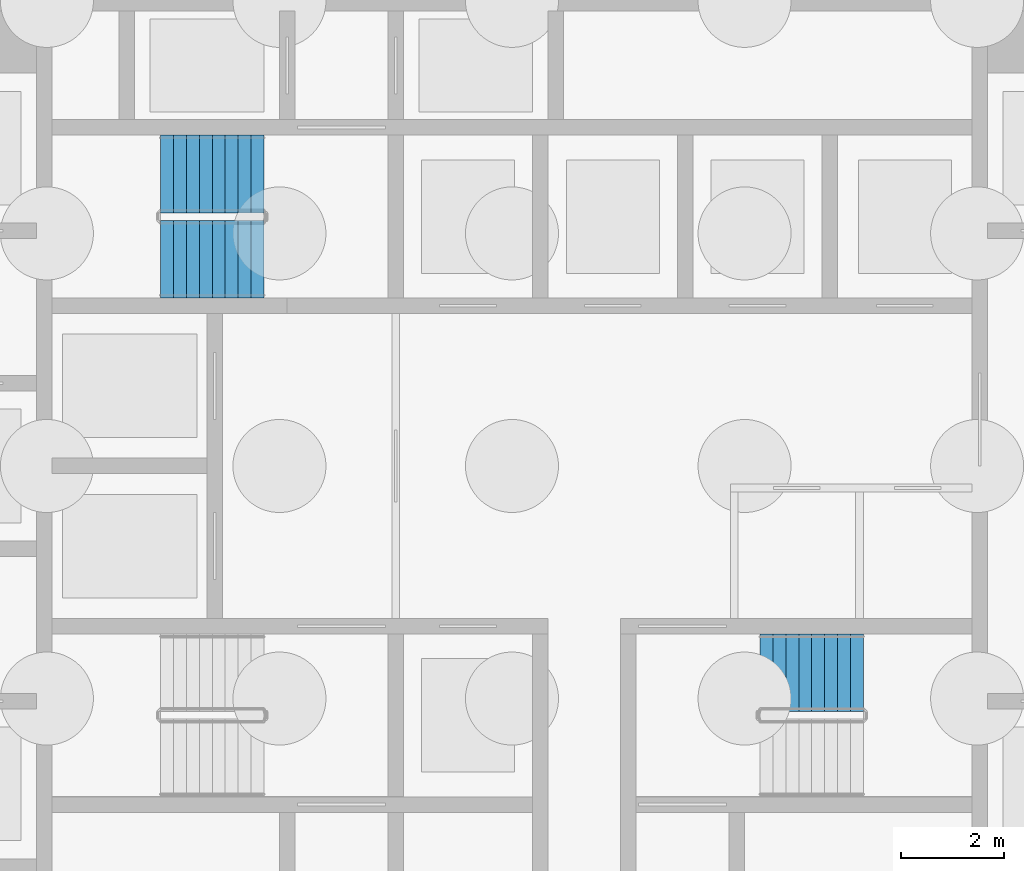
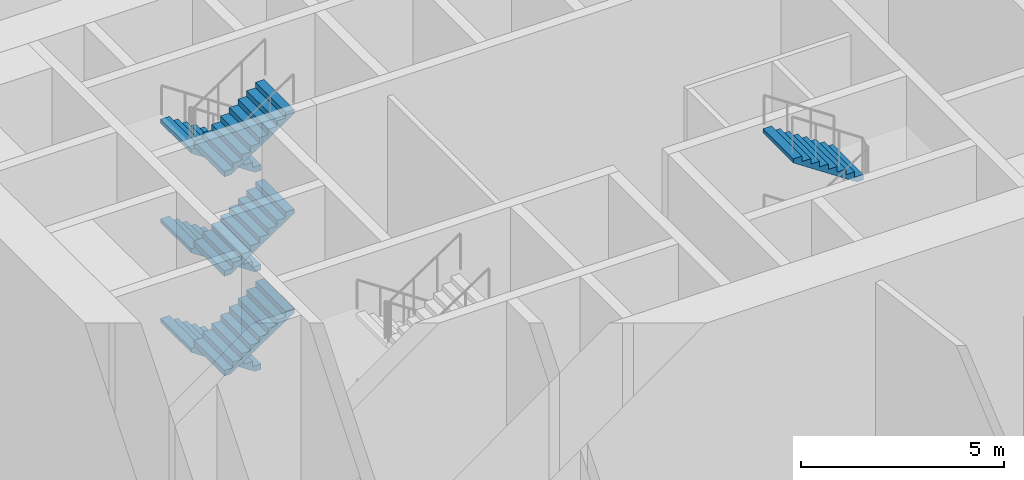
# One storey, part 17 of 20: 7 stair flights, 2 elements without a shape of their own.
"""IFC4 building model written with IfcOpenShell, lengths in metres."""

from ifc_helpers import new_model, si_unit, direction, frame, origin, place, context, subcontext, project, spatial, polyline, outline, extrude, material, type_object, element, aggregate, save


model = new_model("IFC4")

# Units and contexts
model_context = context("Model", 3, precision=1e-05, world=origin(), true_north=direction((0.0, 1.0)))
body_context = subcontext(model_context, "Body", "Model", "MODEL_VIEW")
ifc_project = project(units=[si_unit("LENGTHUNIT", "METRE"), si_unit("AREAUNIT", "SQUARE_METRE"), si_unit("VOLUMEUNIT", "CUBIC_METRE"), si_unit("PLANEANGLEUNIT", "RADIAN"), si_unit("MASSUNIT", "GRAM", prefix="KILO")], contexts=[model_context])

# Site, building, storey
site_placement = place(None, origin())
site = spatial("IfcSite", under=ifc_project, at=site_placement, CompositionType="ELEMENT")
building_placement = place(site_placement, origin())
building = spatial("IfcBuilding", under=site, at=building_placement, Name="Tracery Tower", CompositionType="ELEMENT")
storey_placement = place(building_placement, origin())
storey = spatial("IfcBuildingStorey", under=building, at=storey_placement, Name="L00", CompositionType="ELEMENT", Elevation=0.0)

# Stair, stair flights
ifc_material_1 = material(Name="Concrete C32/40", Category="concrete")
stair_type = type_object("IfcStairType", Name="Core stair 54 risers", PredefinedType="HALF_TURN_STAIR", material=ifc_material_1)
stair_1_placement = place(storey_placement, origin())
stair_1 = element("IfcStair", 1, at=stair_1_placement, inside=storey, type_object=stair_type, Name="L00 stair ST3", PredefinedType="HALF_TURN_STAIR")
ifc_material_2 = material(Name="Concrete C32/40", Category="concrete")
stair_flight_type = type_object("IfcStairFlightType", Name="Core stair flight 9 risers", PredefinedType="STRAIGHT", material=ifc_material_2)
stair_flight_1_placement = place(storey_placement, frame((-4.800048828125, 5.64990234375, 0.0), z_axis=(0.0, 0.0, 1.0), x_axis=(-1.0, 0.0, 0.0)))
stair_flight_1 = element("IfcStairFlight", 2, at=stair_flight_1_placement, type_object=stair_flight_type, Name="ST3 flight 1", NumberOfRisers=9, NumberOfTreads=8, PredefinedType="STRAIGHT", RiserHeight=0.166666667, TreadLength=0.25, context=body_context, shape_type="SweptSolid", body=[
    extrude(outline(polyline([(0.0, 0.0), (0.0, 0.002685546875), (0.0, 0.00537109375), (0.0, 0.00830078125), (0.0, 0.010986328125), (0.0, 0.013671875), (0.0, 0.016357421875), (0.0, 0.01904296875), (0.0, 0.02197265625), (0.0, 0.024658203125), (0.0, 0.02734375), (0.0, 0.030029296875), (0.0, 0.03271484375), (0.0, 0.035400390625), (0.0, 0.038330078125), (0.0, 0.041015625), (0.0, 0.043701171875), (0.0, 0.04638671875), (0.0, 0.049072265625), (0.0, 0.052001953125), (0.0, 0.0546875), (0.0, 0.057373046875), (0.0, 0.06005859375), (0.0, 0.062744140625), (0.0, 0.065673828125), (0.0, 0.068359375), (0.0, 0.071044921875), (0.0, 0.07373046875), (0.0, 0.076416015625), (0.0, 0.079345703125), (0.0, 0.08203125), (0.0, 0.084716796875), (0.0, 0.08740234375), (0.0, 0.090087890625), (0.0, 0.093017578125), (0.0, 0.095703125), (0.0, 0.098388671875), (0.0, 0.10107421875), (0.0, 0.103759765625), (0.0, 0.1064453125), (0.0, 0.109375), (0.0, 0.112060546875), (0.0, 0.11474609375), (0.0, 0.117431640625), (0.0, 0.1201171875), (0.0, 0.123046875), (0.0, 0.125732421875), (0.0, 0.12841796875), (0.0, 0.131103515625), (0.0, 0.1337890625), (0.0, 0.13671875), (0.0, 0.139404296875), (0.0, 0.14208984375), (0.0, 0.144775390625), (0.0, 0.1474609375), (0.0, 0.150390625), (0.0, 0.153076171875), (0.0, 0.15576171875), (0.0, 0.158447265625), (0.0, 0.1611328125), (0.0, 0.163818359375), (0.0, 0.166748046875), (0.25, 0.166748046875), (0.25, 0.333251953125), (0.5, 0.333251953125), (0.5, 0.5), (0.75, 0.5), (0.75, 0.666748046875), (1.0, 0.666748046875), (1.0, 0.833251953125), (1.25, 0.833251953125), (1.25, 1.0), (1.5, 1.0), (1.5, 1.166748046875), (1.75, 1.166748046875), (1.75, 1.333251953125), (2.0, 1.333251953125), (2.0, 1.331298828125), (2.0, 1.329345703125), (2.0, 1.327392578125), (2.0, 1.325439453125), (2.0, 1.323486328125), (2.0, 1.321533203125), (2.0, 1.319580078125), (2.0, 1.317626953125), (2.0, 1.315673828125), (2.0, 1.313720703125), (2.0, 1.3115234375), (2.0, 1.3095703125), (2.0, 1.3076171875), (2.0, 1.3056640625), (2.0, 1.3037109375), (2.0, 1.3017578125), (2.0, 1.2998046875), (2.0, 1.2978515625), (2.0, 1.2958984375), (2.0, 1.2939453125), (2.0, 1.2919921875), (2.0, 1.2900390625), (2.0, 1.2880859375), (2.0, 1.285888671875), (2.0, 1.283935546875), (2.0, 1.281982421875), (2.0, 1.280029296875), (2.0, 1.278076171875), (2.0, 1.276123046875), (2.0, 1.274169921875), (2.0, 1.272216796875), (2.0, 1.270263671875), (2.0, 1.268310546875), (2.0, 1.266357421875), (2.0, 1.264404296875), (2.0, 1.262451171875), (2.0, 1.26025390625), (2.0, 1.25830078125), (2.0, 1.25634765625), (2.0, 1.25439453125), (2.0, 1.25244140625), (2.0, 1.25048828125), (2.0, 1.24853515625), (2.0, 1.24658203125), (2.0, 1.24462890625), (2.0, 1.24267578125), (2.0, 1.24072265625), (2.0, 1.23876953125), (2.0, 1.23681640625), (2.0, 1.234619140625), (2.0, 1.232666015625), (2.0, 1.230712890625), (2.0, 1.228759765625), (2.0, 1.226806640625), (2.0, 1.224853515625), (2.0, 1.222900390625), (2.0, 1.220947265625), (2.0, 1.218994140625), (2.0, 1.217041015625), (2.0, 1.215087890625), (2.0, 1.213134765625), (0.180419921875, 0.0), (0.0, 0.0)])), frame((0.0, 0.75, 0.0), z_axis=(0.0, -1.0, 0.0), x_axis=(1.0, 0.0, 0.0)), (0.0, 0.0, 1.0), 1.5),
])
stair_flight_2_placement = place(storey_placement, frame((-6.800048828125, 4.0, 1.5), z_axis=(0.0, 0.0, 1.0), x_axis=(1.0, 0.0, 0.0)))
stair_flight_2 = element("IfcStairFlight", 3, at=stair_flight_2_placement, type_object=stair_flight_type, Name="ST3 flight 2", NumberOfRisers=9, NumberOfTreads=8, PredefinedType="STRAIGHT", RiserHeight=0.166666667, TreadLength=0.25, context=body_context, shape_type="SweptSolid", body=[
    extrude(outline(polyline([(0.0, 0.0), (0.0, 0.002685546875), (0.0, 0.00537109375), (0.0, 0.00830078125), (0.0, 0.010986328125), (0.0, 0.013671875), (0.0, 0.016357421875), (0.0, 0.01904296875), (0.0, 0.02197265625), (0.0, 0.024658203125), (0.0, 0.02734375), (0.0, 0.030029296875), (0.0, 0.03271484375), (0.0, 0.035400390625), (0.0, 0.038330078125), (0.0, 0.041015625), (0.0, 0.043701171875), (0.0, 0.04638671875), (0.0, 0.049072265625), (0.0, 0.052001953125), (0.0, 0.0546875), (0.0, 0.057373046875), (0.0, 0.06005859375), (0.0, 0.062744140625), (0.0, 0.065673828125), (0.0, 0.068359375), (0.0, 0.071044921875), (0.0, 0.07373046875), (0.0, 0.076416015625), (0.0, 0.079345703125), (0.0, 0.08203125), (0.0, 0.084716796875), (0.0, 0.08740234375), (0.0, 0.090087890625), (0.0, 0.093017578125), (0.0, 0.095703125), (0.0, 0.098388671875), (0.0, 0.10107421875), (0.0, 0.103759765625), (0.0, 0.1064453125), (0.0, 0.109375), (0.0, 0.112060546875), (0.0, 0.11474609375), (0.0, 0.117431640625), (0.0, 0.1201171875), (0.0, 0.123046875), (0.0, 0.125732421875), (0.0, 0.12841796875), (0.0, 0.131103515625), (0.0, 0.1337890625), (0.0, 0.13671875), (0.0, 0.139404296875), (0.0, 0.14208984375), (0.0, 0.144775390625), (0.0, 0.1474609375), (0.0, 0.150390625), (0.0, 0.153076171875), (0.0, 0.15576171875), (0.0, 0.158447265625), (0.0, 0.1611328125), (0.0, 0.163818359375), (0.0, 0.166748046875), (0.25, 0.166748046875), (0.25, 0.333251953125), (0.5, 0.333251953125), (0.5, 0.5), (0.75, 0.5), (0.75, 0.666748046875), (1.0, 0.666748046875), (1.0, 0.833251953125), (1.25, 0.833251953125), (1.25, 1.0), (1.5, 1.0), (1.5, 1.166748046875), (1.75, 1.166748046875), (1.75, 1.333251953125), (2.0, 1.333251953125), (2.0, 1.331298828125), (2.0, 1.329345703125), (2.0, 1.327392578125), (2.0, 1.325439453125), (2.0, 1.323486328125), (2.0, 1.321533203125), (2.0, 1.319580078125), (2.0, 1.317626953125), (2.0, 1.315673828125), (2.0, 1.313720703125), (2.0, 1.3115234375), (2.0, 1.3095703125), (2.0, 1.3076171875), (2.0, 1.3056640625), (2.0, 1.3037109375), (2.0, 1.3017578125), (2.0, 1.2998046875), (2.0, 1.2978515625), (2.0, 1.2958984375), (2.0, 1.2939453125), (2.0, 1.2919921875), (2.0, 1.2900390625), (2.0, 1.2880859375), (2.0, 1.285888671875), (2.0, 1.283935546875), (2.0, 1.281982421875), (2.0, 1.280029296875), (2.0, 1.278076171875), (2.0, 1.276123046875), (2.0, 1.274169921875), (2.0, 1.272216796875), (2.0, 1.270263671875), (2.0, 1.268310546875), (2.0, 1.266357421875), (2.0, 1.264404296875), (2.0, 1.262451171875), (2.0, 1.26025390625), (2.0, 1.25830078125), (2.0, 1.25634765625), (2.0, 1.25439453125), (2.0, 1.25244140625), (2.0, 1.25048828125), (2.0, 1.24853515625), (2.0, 1.24658203125), (2.0, 1.24462890625), (2.0, 1.24267578125), (2.0, 1.24072265625), (2.0, 1.23876953125), (2.0, 1.23681640625), (2.0, 1.234619140625), (2.0, 1.232666015625), (2.0, 1.230712890625), (2.0, 1.228759765625), (2.0, 1.226806640625), (2.0, 1.224853515625), (2.0, 1.222900390625), (2.0, 1.220947265625), (2.0, 1.218994140625), (2.0, 1.217041015625), (2.0, 1.215087890625), (2.0, 1.213134765625), (0.180419921875, 0.0), (0.0, 0.0)])), frame((0.0, 0.75, 0.0), z_axis=(0.0, -1.0, 0.0), x_axis=(1.0, 0.0, 0.0)), (0.0, 0.0, 1.0), 1.5),
])
stair_flight_3_placement = place(storey_placement, frame((-4.800048828125, 5.64990234375, 3.0), z_axis=(0.0, 0.0, 1.0), x_axis=(-1.0, 0.0, 0.0)))
stair_flight_3 = element("IfcStairFlight", 4, at=stair_flight_3_placement, type_object=stair_flight_type, Name="ST3 flight 3", NumberOfRisers=9, NumberOfTreads=8, PredefinedType="STRAIGHT", RiserHeight=0.166666667, TreadLength=0.25, context=body_context, shape_type="SweptSolid", body=[
    extrude(outline(polyline([(0.0, 0.0), (0.0, 0.002685546875), (0.0, 0.00537109375), (0.0, 0.00830078125), (0.0, 0.010986328125), (0.0, 0.013671875), (0.0, 0.016357421875), (0.0, 0.01904296875), (0.0, 0.02197265625), (0.0, 0.024658203125), (0.0, 0.02734375), (0.0, 0.030029296875), (0.0, 0.03271484375), (0.0, 0.035400390625), (0.0, 0.038330078125), (0.0, 0.041015625), (0.0, 0.043701171875), (0.0, 0.04638671875), (0.0, 0.049072265625), (0.0, 0.052001953125), (0.0, 0.0546875), (0.0, 0.057373046875), (0.0, 0.06005859375), (0.0, 0.062744140625), (0.0, 0.065673828125), (0.0, 0.068359375), (0.0, 0.071044921875), (0.0, 0.07373046875), (0.0, 0.076416015625), (0.0, 0.079345703125), (0.0, 0.08203125), (0.0, 0.084716796875), (0.0, 0.08740234375), (0.0, 0.090087890625), (0.0, 0.093017578125), (0.0, 0.095703125), (0.0, 0.098388671875), (0.0, 0.10107421875), (0.0, 0.103759765625), (0.0, 0.1064453125), (0.0, 0.109375), (0.0, 0.112060546875), (0.0, 0.11474609375), (0.0, 0.117431640625), (0.0, 0.1201171875), (0.0, 0.123046875), (0.0, 0.125732421875), (0.0, 0.12841796875), (0.0, 0.131103515625), (0.0, 0.1337890625), (0.0, 0.13671875), (0.0, 0.139404296875), (0.0, 0.14208984375), (0.0, 0.144775390625), (0.0, 0.1474609375), (0.0, 0.150390625), (0.0, 0.153076171875), (0.0, 0.15576171875), (0.0, 0.158447265625), (0.0, 0.1611328125), (0.0, 0.163818359375), (0.0, 0.166748046875), (0.25, 0.166748046875), (0.25, 0.333251953125), (0.5, 0.333251953125), (0.5, 0.5), (0.75, 0.5), (0.75, 0.666748046875), (1.0, 0.666748046875), (1.0, 0.833251953125), (1.25, 0.833251953125), (1.25, 1.0), (1.5, 1.0), (1.5, 1.166748046875), (1.75, 1.166748046875), (1.75, 1.333251953125), (2.0, 1.333251953125), (2.0, 1.331298828125), (2.0, 1.329345703125), (2.0, 1.327392578125), (2.0, 1.325439453125), (2.0, 1.323486328125), (2.0, 1.321533203125), (2.0, 1.319580078125), (2.0, 1.317626953125), (2.0, 1.315673828125), (2.0, 1.313720703125), (2.0, 1.3115234375), (2.0, 1.3095703125), (2.0, 1.3076171875), (2.0, 1.3056640625), (2.0, 1.3037109375), (2.0, 1.3017578125), (2.0, 1.2998046875), (2.0, 1.2978515625), (2.0, 1.2958984375), (2.0, 1.2939453125), (2.0, 1.2919921875), (2.0, 1.2900390625), (2.0, 1.2880859375), (2.0, 1.285888671875), (2.0, 1.283935546875), (2.0, 1.281982421875), (2.0, 1.280029296875), (2.0, 1.278076171875), (2.0, 1.276123046875), (2.0, 1.274169921875), (2.0, 1.272216796875), (2.0, 1.270263671875), (2.0, 1.268310546875), (2.0, 1.266357421875), (2.0, 1.264404296875), (2.0, 1.262451171875), (2.0, 1.26025390625), (2.0, 1.25830078125), (2.0, 1.25634765625), (2.0, 1.25439453125), (2.0, 1.25244140625), (2.0, 1.25048828125), (2.0, 1.24853515625), (2.0, 1.24658203125), (2.0, 1.24462890625), (2.0, 1.24267578125), (2.0, 1.24072265625), (2.0, 1.23876953125), (2.0, 1.23681640625), (2.0, 1.234619140625), (2.0, 1.232666015625), (2.0, 1.230712890625), (2.0, 1.228759765625), (2.0, 1.226806640625), (2.0, 1.224853515625), (2.0, 1.222900390625), (2.0, 1.220947265625), (2.0, 1.218994140625), (2.0, 1.217041015625), (2.0, 1.215087890625), (2.0, 1.213134765625), (0.180419921875, 0.0), (0.0, 0.0)])), frame((0.0, 0.75, 0.0), z_axis=(0.0, -1.0, 0.0), x_axis=(1.0, 0.0, 0.0)), (0.0, 0.0, 1.0), 1.5),
])
stair_flight_4_placement = place(storey_placement, frame((-6.800048828125, 4.0, 4.5), z_axis=(0.0, 0.0, 1.0), x_axis=(1.0, 0.0, 0.0)))
stair_flight_4 = element("IfcStairFlight", 5, at=stair_flight_4_placement, type_object=stair_flight_type, Name="ST3 flight 4", NumberOfRisers=9, NumberOfTreads=8, PredefinedType="STRAIGHT", RiserHeight=0.166666667, TreadLength=0.25, context=body_context, shape_type="SweptSolid", body=[
    extrude(outline(polyline([(0.0, 0.0), (0.0, 0.002685546875), (0.0, 0.00537109375), (0.0, 0.00830078125), (0.0, 0.010986328125), (0.0, 0.013671875), (0.0, 0.016357421875), (0.0, 0.01904296875), (0.0, 0.02197265625), (0.0, 0.024658203125), (0.0, 0.02734375), (0.0, 0.030029296875), (0.0, 0.03271484375), (0.0, 0.035400390625), (0.0, 0.038330078125), (0.0, 0.041015625), (0.0, 0.043701171875), (0.0, 0.04638671875), (0.0, 0.049072265625), (0.0, 0.052001953125), (0.0, 0.0546875), (0.0, 0.057373046875), (0.0, 0.06005859375), (0.0, 0.062744140625), (0.0, 0.065673828125), (0.0, 0.068359375), (0.0, 0.071044921875), (0.0, 0.07373046875), (0.0, 0.076416015625), (0.0, 0.079345703125), (0.0, 0.08203125), (0.0, 0.084716796875), (0.0, 0.08740234375), (0.0, 0.090087890625), (0.0, 0.093017578125), (0.0, 0.095703125), (0.0, 0.098388671875), (0.0, 0.10107421875), (0.0, 0.103759765625), (0.0, 0.1064453125), (0.0, 0.109375), (0.0, 0.112060546875), (0.0, 0.11474609375), (0.0, 0.117431640625), (0.0, 0.1201171875), (0.0, 0.123046875), (0.0, 0.125732421875), (0.0, 0.12841796875), (0.0, 0.131103515625), (0.0, 0.1337890625), (0.0, 0.13671875), (0.0, 0.139404296875), (0.0, 0.14208984375), (0.0, 0.144775390625), (0.0, 0.1474609375), (0.0, 0.150390625), (0.0, 0.153076171875), (0.0, 0.15576171875), (0.0, 0.158447265625), (0.0, 0.1611328125), (0.0, 0.163818359375), (0.0, 0.166748046875), (0.25, 0.166748046875), (0.25, 0.333251953125), (0.5, 0.333251953125), (0.5, 0.5), (0.75, 0.5), (0.75, 0.666748046875), (1.0, 0.666748046875), (1.0, 0.833251953125), (1.25, 0.833251953125), (1.25, 1.0), (1.5, 1.0), (1.5, 1.166748046875), (1.75, 1.166748046875), (1.75, 1.333251953125), (2.0, 1.333251953125), (2.0, 1.331298828125), (2.0, 1.329345703125), (2.0, 1.327392578125), (2.0, 1.325439453125), (2.0, 1.323486328125), (2.0, 1.321533203125), (2.0, 1.319580078125), (2.0, 1.317626953125), (2.0, 1.315673828125), (2.0, 1.313720703125), (2.0, 1.3115234375), (2.0, 1.3095703125), (2.0, 1.3076171875), (2.0, 1.3056640625), (2.0, 1.3037109375), (2.0, 1.3017578125), (2.0, 1.2998046875), (2.0, 1.2978515625), (2.0, 1.2958984375), (2.0, 1.2939453125), (2.0, 1.2919921875), (2.0, 1.2900390625), (2.0, 1.2880859375), (2.0, 1.285888671875), (2.0, 1.283935546875), (2.0, 1.281982421875), (2.0, 1.280029296875), (2.0, 1.278076171875), (2.0, 1.276123046875), (2.0, 1.274169921875), (2.0, 1.272216796875), (2.0, 1.270263671875), (2.0, 1.268310546875), (2.0, 1.266357421875), (2.0, 1.264404296875), (2.0, 1.262451171875), (2.0, 1.26025390625), (2.0, 1.25830078125), (2.0, 1.25634765625), (2.0, 1.25439453125), (2.0, 1.25244140625), (2.0, 1.25048828125), (2.0, 1.24853515625), (2.0, 1.24658203125), (2.0, 1.24462890625), (2.0, 1.24267578125), (2.0, 1.24072265625), (2.0, 1.23876953125), (2.0, 1.23681640625), (2.0, 1.234619140625), (2.0, 1.232666015625), (2.0, 1.230712890625), (2.0, 1.228759765625), (2.0, 1.226806640625), (2.0, 1.224853515625), (2.0, 1.222900390625), (2.0, 1.220947265625), (2.0, 1.218994140625), (2.0, 1.217041015625), (2.0, 1.215087890625), (2.0, 1.213134765625), (0.180419921875, 0.0), (0.0, 0.0)])), frame((0.0, 0.75, 0.0), z_axis=(0.0, -1.0, 0.0), x_axis=(1.0, 0.0, 0.0)), (0.0, 0.0, 1.0), 1.5),
])
stair_flight_5_placement = place(storey_placement, frame((-4.800048828125, 5.64990234375, 6.0), z_axis=(0.0, 0.0, 1.0), x_axis=(-1.0, 0.0, 0.0)))
stair_flight_5 = element("IfcStairFlight", 6, at=stair_flight_5_placement, type_object=stair_flight_type, Name="ST3 flight 5", NumberOfRisers=9, NumberOfTreads=8, PredefinedType="STRAIGHT", RiserHeight=0.166666667, TreadLength=0.25, context=body_context, shape_type="SweptSolid", body=[
    extrude(outline(polyline([(0.0, 0.0), (0.0, 0.002685546875), (0.0, 0.00537109375), (0.0, 0.00830078125), (0.0, 0.010986328125), (0.0, 0.013671875), (0.0, 0.016357421875), (0.0, 0.01904296875), (0.0, 0.02197265625), (0.0, 0.024658203125), (0.0, 0.02734375), (0.0, 0.030029296875), (0.0, 0.03271484375), (0.0, 0.035400390625), (0.0, 0.038330078125), (0.0, 0.041015625), (0.0, 0.043701171875), (0.0, 0.04638671875), (0.0, 0.049072265625), (0.0, 0.052001953125), (0.0, 0.0546875), (0.0, 0.057373046875), (0.0, 0.06005859375), (0.0, 0.062744140625), (0.0, 0.065673828125), (0.0, 0.068359375), (0.0, 0.071044921875), (0.0, 0.07373046875), (0.0, 0.076416015625), (0.0, 0.079345703125), (0.0, 0.08203125), (0.0, 0.084716796875), (0.0, 0.08740234375), (0.0, 0.090087890625), (0.0, 0.093017578125), (0.0, 0.095703125), (0.0, 0.098388671875), (0.0, 0.10107421875), (0.0, 0.103759765625), (0.0, 0.1064453125), (0.0, 0.109375), (0.0, 0.112060546875), (0.0, 0.11474609375), (0.0, 0.117431640625), (0.0, 0.1201171875), (0.0, 0.123046875), (0.0, 0.125732421875), (0.0, 0.12841796875), (0.0, 0.131103515625), (0.0, 0.1337890625), (0.0, 0.13671875), (0.0, 0.139404296875), (0.0, 0.14208984375), (0.0, 0.144775390625), (0.0, 0.1474609375), (0.0, 0.150390625), (0.0, 0.153076171875), (0.0, 0.15576171875), (0.0, 0.158447265625), (0.0, 0.1611328125), (0.0, 0.163818359375), (0.0, 0.166748046875), (0.25, 0.166748046875), (0.25, 0.333251953125), (0.5, 0.333251953125), (0.5, 0.5), (0.75, 0.5), (0.75, 0.666748046875), (1.0, 0.666748046875), (1.0, 0.833251953125), (1.25, 0.833251953125), (1.25, 1.0), (1.5, 1.0), (1.5, 1.166748046875), (1.75, 1.166748046875), (1.75, 1.333251953125), (2.0, 1.333251953125), (2.0, 1.331298828125), (2.0, 1.329345703125), (2.0, 1.327392578125), (2.0, 1.325439453125), (2.0, 1.323486328125), (2.0, 1.321533203125), (2.0, 1.319580078125), (2.0, 1.317626953125), (2.0, 1.315673828125), (2.0, 1.313720703125), (2.0, 1.3115234375), (2.0, 1.3095703125), (2.0, 1.3076171875), (2.0, 1.3056640625), (2.0, 1.3037109375), (2.0, 1.3017578125), (2.0, 1.2998046875), (2.0, 1.2978515625), (2.0, 1.2958984375), (2.0, 1.2939453125), (2.0, 1.2919921875), (2.0, 1.2900390625), (2.0, 1.2880859375), (2.0, 1.285888671875), (2.0, 1.283935546875), (2.0, 1.281982421875), (2.0, 1.280029296875), (2.0, 1.278076171875), (2.0, 1.276123046875), (2.0, 1.274169921875), (2.0, 1.272216796875), (2.0, 1.270263671875), (2.0, 1.268310546875), (2.0, 1.266357421875), (2.0, 1.264404296875), (2.0, 1.262451171875), (2.0, 1.26025390625), (2.0, 1.25830078125), (2.0, 1.25634765625), (2.0, 1.25439453125), (2.0, 1.25244140625), (2.0, 1.25048828125), (2.0, 1.24853515625), (2.0, 1.24658203125), (2.0, 1.24462890625), (2.0, 1.24267578125), (2.0, 1.24072265625), (2.0, 1.23876953125), (2.0, 1.23681640625), (2.0, 1.234619140625), (2.0, 1.232666015625), (2.0, 1.230712890625), (2.0, 1.228759765625), (2.0, 1.226806640625), (2.0, 1.224853515625), (2.0, 1.222900390625), (2.0, 1.220947265625), (2.0, 1.218994140625), (2.0, 1.217041015625), (2.0, 1.215087890625), (2.0, 1.213134765625), (0.180419921875, 0.0), (0.0, 0.0)])), frame((0.0, 0.75, 0.0), z_axis=(0.0, -1.0, 0.0), x_axis=(1.0, 0.0, 0.0)), (0.0, 0.0, 1.0), 1.5),
])
stair_flight_6_placement = place(storey_placement, frame((-6.800048828125, 4.0, 7.5), z_axis=(0.0, 0.0, 1.0), x_axis=(1.0, 0.0, 0.0)))
stair_flight_6 = element("IfcStairFlight", 7, at=stair_flight_6_placement, type_object=stair_flight_type, Name="ST3 flight 6", NumberOfRisers=9, NumberOfTreads=8, PredefinedType="STRAIGHT", RiserHeight=0.166666667, TreadLength=0.25, context=body_context, shape_type="SweptSolid", body=[
    extrude(outline(polyline([(0.0, 0.0), (0.0, 0.002685546875), (0.0, 0.00537109375), (0.0, 0.00830078125), (0.0, 0.010986328125), (0.0, 0.013671875), (0.0, 0.016357421875), (0.0, 0.01904296875), (0.0, 0.02197265625), (0.0, 0.024658203125), (0.0, 0.02734375), (0.0, 0.030029296875), (0.0, 0.03271484375), (0.0, 0.035400390625), (0.0, 0.038330078125), (0.0, 0.041015625), (0.0, 0.043701171875), (0.0, 0.04638671875), (0.0, 0.049072265625), (0.0, 0.052001953125), (0.0, 0.0546875), (0.0, 0.057373046875), (0.0, 0.06005859375), (0.0, 0.062744140625), (0.0, 0.065673828125), (0.0, 0.068359375), (0.0, 0.071044921875), (0.0, 0.07373046875), (0.0, 0.076416015625), (0.0, 0.079345703125), (0.0, 0.08203125), (0.0, 0.084716796875), (0.0, 0.08740234375), (0.0, 0.090087890625), (0.0, 0.093017578125), (0.0, 0.095703125), (0.0, 0.098388671875), (0.0, 0.10107421875), (0.0, 0.103759765625), (0.0, 0.1064453125), (0.0, 0.109375), (0.0, 0.112060546875), (0.0, 0.11474609375), (0.0, 0.117431640625), (0.0, 0.1201171875), (0.0, 0.123046875), (0.0, 0.125732421875), (0.0, 0.12841796875), (0.0, 0.131103515625), (0.0, 0.1337890625), (0.0, 0.13671875), (0.0, 0.139404296875), (0.0, 0.14208984375), (0.0, 0.144775390625), (0.0, 0.1474609375), (0.0, 0.150390625), (0.0, 0.153076171875), (0.0, 0.15576171875), (0.0, 0.158447265625), (0.0, 0.1611328125), (0.0, 0.163818359375), (0.0, 0.166748046875), (0.25, 0.166748046875), (0.25, 0.333251953125), (0.5, 0.333251953125), (0.5, 0.5), (0.75, 0.5), (0.75, 0.666748046875), (1.0, 0.666748046875), (1.0, 0.833251953125), (1.25, 0.833251953125), (1.25, 1.0), (1.5, 1.0), (1.5, 1.166748046875), (1.75, 1.166748046875), (1.75, 1.333251953125), (2.0, 1.333251953125), (2.0, 1.331298828125), (2.0, 1.329345703125), (2.0, 1.327392578125), (2.0, 1.325439453125), (2.0, 1.323486328125), (2.0, 1.321533203125), (2.0, 1.319580078125), (2.0, 1.317626953125), (2.0, 1.315673828125), (2.0, 1.313720703125), (2.0, 1.3115234375), (2.0, 1.3095703125), (2.0, 1.3076171875), (2.0, 1.3056640625), (2.0, 1.3037109375), (2.0, 1.3017578125), (2.0, 1.2998046875), (2.0, 1.2978515625), (2.0, 1.2958984375), (2.0, 1.2939453125), (2.0, 1.2919921875), (2.0, 1.2900390625), (2.0, 1.2880859375), (2.0, 1.285888671875), (2.0, 1.283935546875), (2.0, 1.281982421875), (2.0, 1.280029296875), (2.0, 1.278076171875), (2.0, 1.276123046875), (2.0, 1.274169921875), (2.0, 1.272216796875), (2.0, 1.270263671875), (2.0, 1.268310546875), (2.0, 1.266357421875), (2.0, 1.264404296875), (2.0, 1.262451171875), (2.0, 1.26025390625), (2.0, 1.25830078125), (2.0, 1.25634765625), (2.0, 1.25439453125), (2.0, 1.25244140625), (2.0, 1.25048828125), (2.0, 1.24853515625), (2.0, 1.24658203125), (2.0, 1.24462890625), (2.0, 1.24267578125), (2.0, 1.24072265625), (2.0, 1.23876953125), (2.0, 1.23681640625), (2.0, 1.234619140625), (2.0, 1.232666015625), (2.0, 1.230712890625), (2.0, 1.228759765625), (2.0, 1.226806640625), (2.0, 1.224853515625), (2.0, 1.222900390625), (2.0, 1.220947265625), (2.0, 1.218994140625), (2.0, 1.217041015625), (2.0, 1.215087890625), (2.0, 1.213134765625), (0.180419921875, 0.0), (0.0, 0.0)])), frame((0.0, 0.75, 0.0), z_axis=(0.0, -1.0, 0.0), x_axis=(1.0, 0.0, 0.0)), (0.0, 0.0, 1.0), 1.5),
])
aggregate(stair_1, [stair_flight_1, stair_flight_2, stair_flight_3, stair_flight_4, stair_flight_5, stair_flight_6])

# Stair, stair flight
stair_2_placement = place(storey_placement, origin())
stair_2 = element("IfcStair", 8, at=stair_2_placement, inside=storey, type_object=stair_type, Name="L00 stair ST2", PredefinedType="HALF_TURN_STAIR")
stair_flight_7_placement = place(storey_placement, frame((6.800048828125, -4.0, 7.5), z_axis=(0.0, 0.0, 1.0), x_axis=(-1.0, 0.0, 0.0)))
stair_flight_7 = element("IfcStairFlight", 9, at=stair_flight_7_placement, type_object=stair_flight_type, Name="ST2 flight 6", NumberOfRisers=9, NumberOfTreads=8, PredefinedType="STRAIGHT", RiserHeight=0.166666667, TreadLength=0.25, context=body_context, shape_type="SweptSolid", body=[
    extrude(outline(polyline([(0.0, 0.0), (0.0, 0.002685546875), (0.0, 0.00537109375), (0.0, 0.00830078125), (0.0, 0.010986328125), (0.0, 0.013671875), (0.0, 0.016357421875), (0.0, 0.01904296875), (0.0, 0.02197265625), (0.0, 0.024658203125), (0.0, 0.02734375), (0.0, 0.030029296875), (0.0, 0.03271484375), (0.0, 0.035400390625), (0.0, 0.038330078125), (0.0, 0.041015625), (0.0, 0.043701171875), (0.0, 0.04638671875), (0.0, 0.049072265625), (0.0, 0.052001953125), (0.0, 0.0546875), (0.0, 0.057373046875), (0.0, 0.06005859375), (0.0, 0.062744140625), (0.0, 0.065673828125), (0.0, 0.068359375), (0.0, 0.071044921875), (0.0, 0.07373046875), (0.0, 0.076416015625), (0.0, 0.079345703125), (0.0, 0.08203125), (0.0, 0.084716796875), (0.0, 0.08740234375), (0.0, 0.090087890625), (0.0, 0.093017578125), (0.0, 0.095703125), (0.0, 0.098388671875), (0.0, 0.10107421875), (0.0, 0.103759765625), (0.0, 0.1064453125), (0.0, 0.109375), (0.0, 0.112060546875), (0.0, 0.11474609375), (0.0, 0.117431640625), (0.0, 0.1201171875), (0.0, 0.123046875), (0.0, 0.125732421875), (0.0, 0.12841796875), (0.0, 0.131103515625), (0.0, 0.1337890625), (0.0, 0.13671875), (0.0, 0.139404296875), (0.0, 0.14208984375), (0.0, 0.144775390625), (0.0, 0.1474609375), (0.0, 0.150390625), (0.0, 0.153076171875), (0.0, 0.15576171875), (0.0, 0.158447265625), (0.0, 0.1611328125), (0.0, 0.163818359375), (0.0, 0.166748046875), (0.25, 0.166748046875), (0.25, 0.333251953125), (0.5, 0.333251953125), (0.5, 0.5), (0.75, 0.5), (0.75, 0.666748046875), (1.0, 0.666748046875), (1.0, 0.833251953125), (1.25, 0.833251953125), (1.25, 1.0), (1.5, 1.0), (1.5, 1.166748046875), (1.75, 1.166748046875), (1.75, 1.333251953125), (2.0, 1.333251953125), (2.0, 1.331298828125), (2.0, 1.329345703125), (2.0, 1.327392578125), (2.0, 1.325439453125), (2.0, 1.323486328125), (2.0, 1.321533203125), (2.0, 1.319580078125), (2.0, 1.317626953125), (2.0, 1.315673828125), (2.0, 1.313720703125), (2.0, 1.3115234375), (2.0, 1.3095703125), (2.0, 1.3076171875), (2.0, 1.3056640625), (2.0, 1.3037109375), (2.0, 1.3017578125), (2.0, 1.2998046875), (2.0, 1.2978515625), (2.0, 1.2958984375), (2.0, 1.2939453125), (2.0, 1.2919921875), (2.0, 1.2900390625), (2.0, 1.2880859375), (2.0, 1.285888671875), (2.0, 1.283935546875), (2.0, 1.281982421875), (2.0, 1.280029296875), (2.0, 1.278076171875), (2.0, 1.276123046875), (2.0, 1.274169921875), (2.0, 1.272216796875), (2.0, 1.270263671875), (2.0, 1.268310546875), (2.0, 1.266357421875), (2.0, 1.264404296875), (2.0, 1.262451171875), (2.0, 1.26025390625), (2.0, 1.25830078125), (2.0, 1.25634765625), (2.0, 1.25439453125), (2.0, 1.25244140625), (2.0, 1.25048828125), (2.0, 1.24853515625), (2.0, 1.24658203125), (2.0, 1.24462890625), (2.0, 1.24267578125), (2.0, 1.24072265625), (2.0, 1.23876953125), (2.0, 1.23681640625), (2.0, 1.234619140625), (2.0, 1.232666015625), (2.0, 1.230712890625), (2.0, 1.228759765625), (2.0, 1.226806640625), (2.0, 1.224853515625), (2.0, 1.222900390625), (2.0, 1.220947265625), (2.0, 1.218994140625), (2.0, 1.217041015625), (2.0, 1.215087890625), (2.0, 1.213134765625), (0.180419921875, 0.0), (0.0, 0.0)])), frame((0.0, 0.75, 0.0), z_axis=(0.0, -1.0, 0.0), x_axis=(1.0, 0.0, 0.0)), (0.0, 0.0, 1.0), 1.5),
])
aggregate(stair_2, [stair_flight_7])

save(model, "model.ifc")
